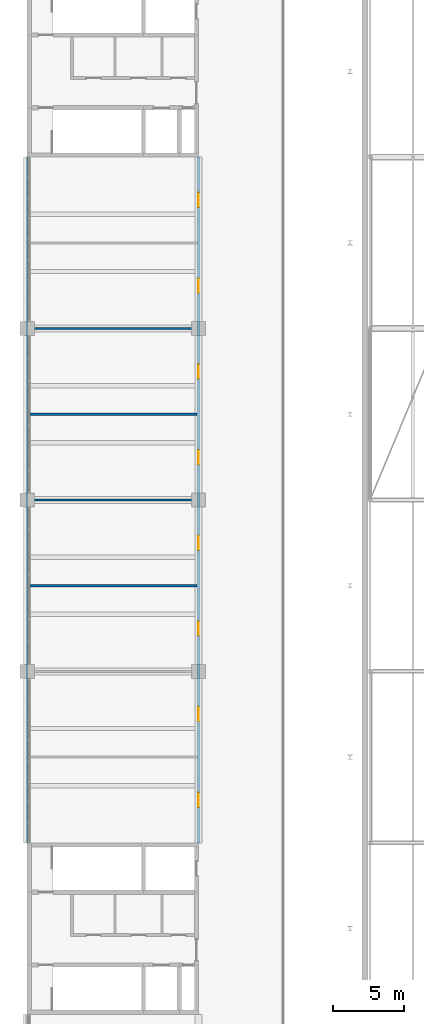
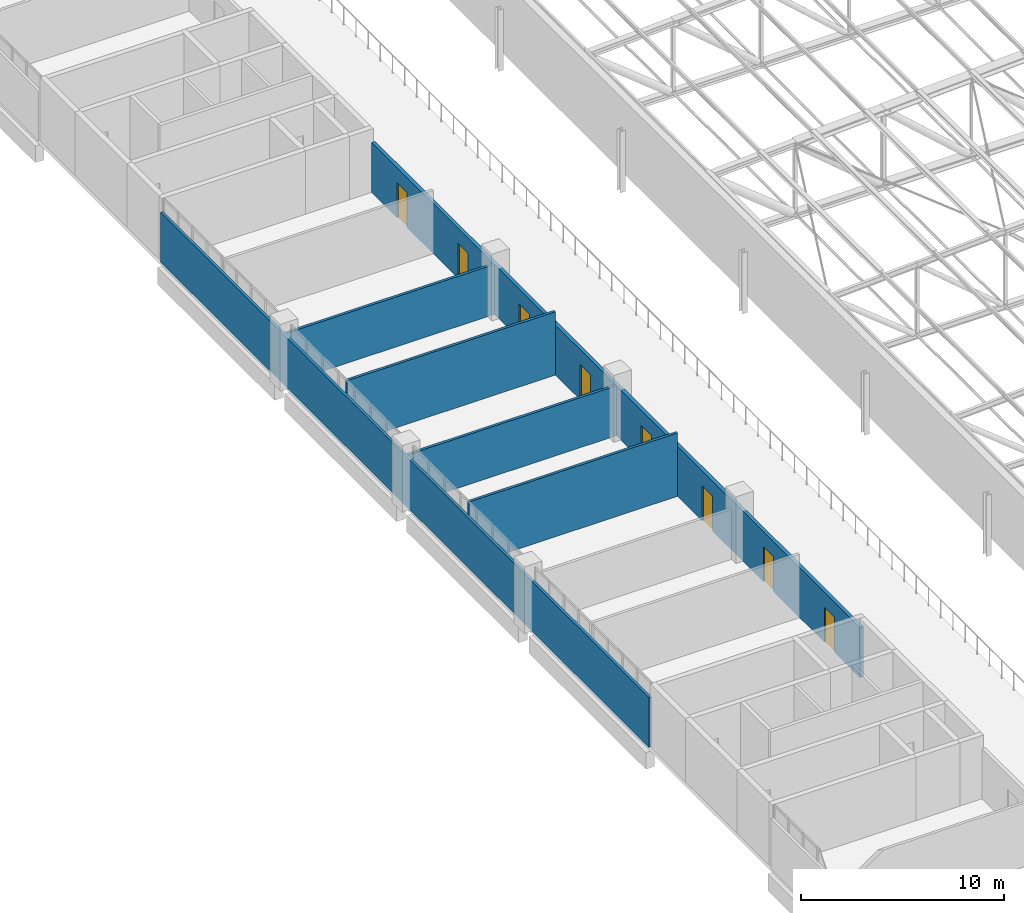
# One storey, part 144 of 156: 8 doors, 6 walls, 8 openings.
"""IFC4 building model written with IfcOpenShell, lengths in metres."""

from ifc_helpers import new_model, si_unit, direction, frame, frame_2d, origin, place, context, subcontext, project, spatial, rectangle, extrude, material, layer, layer_set, type_object, element, fill, save


model = new_model("IFC4")

# Units and contexts
model_context = context("Model", 3, precision=1e-05, world=origin(), true_north=direction((0.0, 1.0)))
body_context = subcontext(model_context, "Body", "Model", "MODEL_VIEW")
ifc_project = project(units=[si_unit("LENGTHUNIT", "METRE"), si_unit("AREAUNIT", "SQUARE_METRE"), si_unit("VOLUMEUNIT", "CUBIC_METRE"), si_unit("PLANEANGLEUNIT", "RADIAN"), si_unit("MASSUNIT", "GRAM", prefix="KILO")], contexts=[model_context])

# Site, building, storey
site_placement = place(None, origin())
site = spatial("IfcSite", under=ifc_project, at=site_placement, CompositionType="ELEMENT")
building_placement = place(site_placement, origin())
building = spatial("IfcBuilding", under=site, at=building_placement, Name="Lilac Gate Convention Centre", CompositionType="ELEMENT")
storey_placement = place(building_placement, frame((0.0, 0.0, 17.0)))
storey = spatial("IfcBuildingStorey", under=building, at=storey_placement, Name="L03", CompositionType="ELEMENT", Elevation=17.0)

# Walls
ifc_material_1 = material(Name="Fire-rated gypsum board on steel stud", Category="steel")
ifc_layer_1 = layer(ifc_material_1, 0.14990234375)
ifc_layer_set_1 = layer_set([ifc_layer_1], Name="Fire-rated gypsum board on steel stud")
wall_type_1 = type_object("IfcWallType", Name="Partition 150 fire-rated gypsum board EI 60", PredefinedType="PARTITIONING", material=ifc_layer_set_1)
wall_1_placement = place(storey_placement, frame((6.074951171875, 120.0, 0.0), z_axis=(0.0, 0.0, 1.0), x_axis=(1.0, 0.0, 0.0)))
element("IfcWall", 1, at=wall_1_placement, inside=storey, type_object=wall_type_1, Name="Partition 150 fire-rated gypsum board EI 60", PredefinedType="PARTITIONING", context=body_context, shape_type="SweptSolid", body=[
    extrude(rectangle(XDim=11.824951171875, YDim=0.14990234375, at=frame_2d((5.91259765625, 0.0))), origin(), (0.0, 0.0, 1.0), 3.800048828125),
])
wall_2_placement = place(storey_placement, frame((6.074951171875, 126.0, 0.0), z_axis=(0.0, 0.0, 1.0), x_axis=(1.0, 0.0, 0.0)))
element("IfcWall", 2, at=wall_2_placement, inside=storey, type_object=wall_type_1, Name="Partition 150 fire-rated gypsum board EI 60", PredefinedType="PARTITIONING", context=body_context, shape_type="SweptSolid", body=[
    extrude(rectangle(XDim=11.824951171875, YDim=0.14990234375, at=frame_2d((5.91259765625, 0.0))), origin(), (0.0, 0.0, 1.0), 3.0),
])
wall_3_placement = place(storey_placement, frame((6.074951171875, 132.0, 0.0), z_axis=(0.0, 0.0, 1.0), x_axis=(1.0, 0.0, 0.0)))
element("IfcWall", 3, at=wall_3_placement, inside=storey, type_object=wall_type_1, Name="Partition 150 fire-rated gypsum board EI 60", PredefinedType="PARTITIONING", context=body_context, shape_type="SweptSolid", body=[
    extrude(rectangle(XDim=11.824951171875, YDim=0.14990234375, at=frame_2d((5.91259765625, 0.0))), origin(), (0.0, 0.0, 1.0), 3.800048828125),
])
wall_4_placement = place(storey_placement, frame((6.074951171875, 138.0, 0.0), z_axis=(0.0, 0.0, 1.0), x_axis=(1.0, 0.0, 0.0)))
element("IfcWall", 4, at=wall_4_placement, inside=storey, type_object=wall_type_1, Name="Partition 150 fire-rated gypsum board EI 60", PredefinedType="PARTITIONING", context=body_context, shape_type="SweptSolid", body=[
    extrude(rectangle(XDim=11.824951171875, YDim=0.14990234375, at=frame_2d((5.91259765625, 0.0))), origin(), (0.0, 0.0, 1.0), 3.0),
])
wall_5_placement = place(storey_placement, frame((6.0, 102.0, 0.0), z_axis=(0.0, 0.0, 1.0), x_axis=(0.0, 1.0, 0.0)))
element("IfcWall", 5, at=wall_5_placement, inside=storey, type_object=wall_type_1, Name="Partition 150 fire-rated gypsum board EI 60", PredefinedType="PARTITIONING", context=body_context, shape_type="SweptSolid", body=[
    extrude(rectangle(XDim=48.0, YDim=0.14990234375, at=frame_2d((24.0, 0.0))), origin(), (0.0, 0.0, 1.0), 3.0),
])

# Wall, openings, doors
ifc_material_2 = material(Name="Clay brick masonry", Category="masonry")
ifc_layer_2 = layer(ifc_material_2, 0.199951171875)
ifc_layer_set_2 = layer_set([ifc_layer_2], Name="Clay brick masonry")
wall_type_2 = type_object("IfcWallType", Name="Partition 200 brick EI 60", PredefinedType="PARTITIONING", material=ifc_layer_set_2)
wall_6_placement = place(storey_placement, frame((18.0, 102.0, 0.0), z_axis=(0.0, 0.0, 1.0), x_axis=(0.0, 1.0, 0.0)))
wall_6 = element("IfcWall", 6, at=wall_6_placement, inside=storey, type_object=wall_type_2, Name="Partition 200 brick EI 60", PredefinedType="PARTITIONING", context=body_context, shape_type="SweptSolid", body=[
    extrude(rectangle(XDim=48.0, YDim=0.199951171875, at=frame_2d((24.0, 0.0))), origin(), (0.0, 0.0, 1.0), 3.0),
])
opening_1_placement = place(wall_6_placement, frame((2.5, 0.0, 0.0)))
opening_1 = element("IfcOpeningElement", 7, at=opening_1_placement, cuts=wall_6, Name="Opening L03-025", PredefinedType="OPENING", context=body_context, shape_type="SweptSolid", body=[
    extrude(rectangle(XDim=1.0, YDim=2.10009765625, at=frame_2d((0.5, 1.050048828125))), frame((0.0, 0.10986328125, 0.0), z_axis=(0.0, -1.0, 0.0), x_axis=(1.0, 0.0, 0.0)), (0.0, 0.0, 1.0), 0.219970703125),
])
opening_2_placement = place(wall_6_placement, frame((8.5, 0.0, 0.0)))
opening_2 = element("IfcOpeningElement", 8, at=opening_2_placement, cuts=wall_6, Name="Opening L03-026", PredefinedType="OPENING", context=body_context, shape_type="SweptSolid", body=[
    extrude(rectangle(XDim=1.0, YDim=2.10009765625, at=frame_2d((0.5, 1.050048828125))), frame((0.0, 0.10986328125, 0.0), z_axis=(0.0, -1.0, 0.0), x_axis=(1.0, 0.0, 0.0)), (0.0, 0.0, 1.0), 0.219970703125),
])
opening_3_placement = place(wall_6_placement, frame((14.5, 0.0, 0.0)))
opening_3 = element("IfcOpeningElement", 9, at=opening_3_placement, cuts=wall_6, Name="Opening L03-027", PredefinedType="OPENING", context=body_context, shape_type="SweptSolid", body=[
    extrude(rectangle(XDim=1.0, YDim=2.10009765625, at=frame_2d((0.5, 1.050048828125))), frame((0.0, 0.10986328125, 0.0), z_axis=(0.0, -1.0, 0.0), x_axis=(1.0, 0.0, 0.0)), (0.0, 0.0, 1.0), 0.219970703125),
])
opening_4_placement = place(wall_6_placement, frame((20.5, 0.0, 0.0)))
opening_4 = element("IfcOpeningElement", 10, at=opening_4_placement, cuts=wall_6, Name="Opening L03-028", PredefinedType="OPENING", context=body_context, shape_type="SweptSolid", body=[
    extrude(rectangle(XDim=1.0, YDim=2.10009765625, at=frame_2d((0.5, 1.050048828125))), frame((0.0, 0.10986328125, 0.0), z_axis=(0.0, -1.0, 0.0), x_axis=(1.0, 0.0, 0.0)), (0.0, 0.0, 1.0), 0.219970703125),
])
opening_5_placement = place(wall_6_placement, frame((26.5, 0.0, 0.0)))
opening_5 = element("IfcOpeningElement", 11, at=opening_5_placement, cuts=wall_6, Name="Opening L03-029", PredefinedType="OPENING", context=body_context, shape_type="SweptSolid", body=[
    extrude(rectangle(XDim=1.0, YDim=2.10009765625, at=frame_2d((0.5, 1.050048828125))), frame((0.0, 0.10986328125, 0.0), z_axis=(0.0, -1.0, 0.0), x_axis=(1.0, 0.0, 0.0)), (0.0, 0.0, 1.0), 0.219970703125),
])
opening_6_placement = place(wall_6_placement, frame((32.5, 0.0, 0.0)))
opening_6 = element("IfcOpeningElement", 12, at=opening_6_placement, cuts=wall_6, Name="Opening L03-030", PredefinedType="OPENING", context=body_context, shape_type="SweptSolid", body=[
    extrude(rectangle(XDim=1.0, YDim=2.10009765625, at=frame_2d((0.5, 1.050048828125))), frame((0.0, 0.10986328125, 0.0), z_axis=(0.0, -1.0, 0.0), x_axis=(1.0, 0.0, 0.0)), (0.0, 0.0, 1.0), 0.219970703125),
])
opening_7_placement = place(wall_6_placement, frame((38.5, 0.0, 0.0)))
opening_7 = element("IfcOpeningElement", 13, at=opening_7_placement, cuts=wall_6, Name="Opening L03-031", PredefinedType="OPENING", context=body_context, shape_type="SweptSolid", body=[
    extrude(rectangle(XDim=1.0, YDim=2.10009765625, at=frame_2d((0.5, 1.050048828125))), frame((0.0, 0.10986328125, 0.0), z_axis=(0.0, -1.0, 0.0), x_axis=(1.0, 0.0, 0.0)), (0.0, 0.0, 1.0), 0.219970703125),
])
opening_8_placement = place(wall_6_placement, frame((44.5, 0.0, 0.0)))
opening_8 = element("IfcOpeningElement", 14, at=opening_8_placement, cuts=wall_6, Name="Opening L03-032", PredefinedType="OPENING", context=body_context, shape_type="SweptSolid", body=[
    extrude(rectangle(XDim=1.0, YDim=2.10009765625, at=frame_2d((0.5, 1.050048828125))), frame((0.0, 0.10986328125, 0.0), z_axis=(0.0, -1.0, 0.0), x_axis=(1.0, 0.0, 0.0)), (0.0, 0.0, 1.0), 0.219970703125),
])
ifc_material_3 = material(Name="Timber fire door leaf", Category="wood")
door_type = type_object("IfcDoorType", Name="Door 1000 x 2100 single leaf FD30", OperationType="SINGLE_SWING_LEFT", PredefinedType="DOOR", material=ifc_material_3)
door_1_placement = place(opening_1_placement, origin())
door_1 = element("IfcDoor", 15, at=door_1_placement, inside=storey, type_object=door_type, Name="Meeting room door L03-025", OperationType="SINGLE_SWING_RIGHT", OverallHeight=2.10009765625, OverallWidth=1.0, PredefinedType="DOOR", context=body_context, shape_type="SweptSolid", body=[
    extrude(rectangle(XDim=1.0, YDim=2.10009765625, at=frame_2d((0.5, 1.050048828125))), frame((0.0, 0.02490234375, 0.0), z_axis=(0.0, -1.0, 0.0), x_axis=(1.0, 0.0, 0.0)), (0.0, 0.0, 1.0), 0.050048828125),
])
fill(opening_1, door_1)
door_2_placement = place(opening_2_placement, origin())
door_2 = element("IfcDoor", 16, at=door_2_placement, inside=storey, type_object=door_type, Name="Meeting room door L03-026", OperationType="SINGLE_SWING_RIGHT", OverallHeight=2.10009765625, OverallWidth=1.0, PredefinedType="DOOR", context=body_context, shape_type="SweptSolid", body=[
    extrude(rectangle(XDim=1.0, YDim=2.10009765625, at=frame_2d((0.5, 1.050048828125))), frame((0.0, 0.02490234375, 0.0), z_axis=(0.0, -1.0, 0.0), x_axis=(1.0, 0.0, 0.0)), (0.0, 0.0, 1.0), 0.050048828125),
])
fill(opening_2, door_2)
door_3_placement = place(opening_3_placement, origin())
door_3 = element("IfcDoor", 17, at=door_3_placement, inside=storey, type_object=door_type, Name="Meeting room door L03-027", OperationType="SINGLE_SWING_RIGHT", OverallHeight=2.10009765625, OverallWidth=1.0, PredefinedType="DOOR", context=body_context, shape_type="SweptSolid", body=[
    extrude(rectangle(XDim=1.0, YDim=2.10009765625, at=frame_2d((0.5, 1.050048828125))), frame((0.0, 0.02490234375, 0.0), z_axis=(0.0, -1.0, 0.0), x_axis=(1.0, 0.0, 0.0)), (0.0, 0.0, 1.0), 0.050048828125),
])
fill(opening_3, door_3)
door_4_placement = place(opening_4_placement, origin())
door_4 = element("IfcDoor", 18, at=door_4_placement, inside=storey, type_object=door_type, Name="Meeting room door L03-028", OperationType="SINGLE_SWING_RIGHT", OverallHeight=2.10009765625, OverallWidth=1.0, PredefinedType="DOOR", context=body_context, shape_type="SweptSolid", body=[
    extrude(rectangle(XDim=1.0, YDim=2.10009765625, at=frame_2d((0.5, 1.050048828125))), frame((0.0, 0.02490234375, 0.0), z_axis=(0.0, -1.0, 0.0), x_axis=(1.0, 0.0, 0.0)), (0.0, 0.0, 1.0), 0.050048828125),
])
fill(opening_4, door_4)
door_5_placement = place(opening_5_placement, origin())
door_5 = element("IfcDoor", 19, at=door_5_placement, inside=storey, type_object=door_type, Name="Meeting room door L03-029", OperationType="SINGLE_SWING_RIGHT", OverallHeight=2.10009765625, OverallWidth=1.0, PredefinedType="DOOR", context=body_context, shape_type="SweptSolid", body=[
    extrude(rectangle(XDim=1.0, YDim=2.10009765625, at=frame_2d((0.5, 1.050048828125))), frame((0.0, 0.02490234375, 0.0), z_axis=(0.0, -1.0, 0.0), x_axis=(1.0, 0.0, 0.0)), (0.0, 0.0, 1.0), 0.050048828125),
])
fill(opening_5, door_5)
door_6_placement = place(opening_6_placement, origin())
door_6 = element("IfcDoor", 20, at=door_6_placement, inside=storey, type_object=door_type, Name="Meeting room door L03-030", OperationType="SINGLE_SWING_RIGHT", OverallHeight=2.10009765625, OverallWidth=1.0, PredefinedType="DOOR", context=body_context, shape_type="SweptSolid", body=[
    extrude(rectangle(XDim=1.0, YDim=2.10009765625, at=frame_2d((0.5, 1.050048828125))), frame((0.0, 0.02490234375, 0.0), z_axis=(0.0, -1.0, 0.0), x_axis=(1.0, 0.0, 0.0)), (0.0, 0.0, 1.0), 0.050048828125),
])
fill(opening_6, door_6)
door_7_placement = place(opening_7_placement, origin())
door_7 = element("IfcDoor", 21, at=door_7_placement, inside=storey, type_object=door_type, Name="Meeting room door L03-031", OperationType="SINGLE_SWING_RIGHT", OverallHeight=2.10009765625, OverallWidth=1.0, PredefinedType="DOOR", context=body_context, shape_type="SweptSolid", body=[
    extrude(rectangle(XDim=1.0, YDim=2.10009765625, at=frame_2d((0.5, 1.050048828125))), frame((0.0, 0.02490234375, 0.0), z_axis=(0.0, -1.0, 0.0), x_axis=(1.0, 0.0, 0.0)), (0.0, 0.0, 1.0), 0.050048828125),
])
fill(opening_7, door_7)
door_8_placement = place(opening_8_placement, origin())
door_8 = element("IfcDoor", 22, at=door_8_placement, inside=storey, type_object=door_type, Name="Meeting room door L03-032", OperationType="SINGLE_SWING_RIGHT", OverallHeight=2.10009765625, OverallWidth=1.0, PredefinedType="DOOR", context=body_context, shape_type="SweptSolid", body=[
    extrude(rectangle(XDim=1.0, YDim=2.10009765625, at=frame_2d((0.5, 1.050048828125))), frame((0.0, 0.02490234375, 0.0), z_axis=(0.0, -1.0, 0.0), x_axis=(1.0, 0.0, 0.0)), (0.0, 0.0, 1.0), 0.050048828125),
])
fill(opening_8, door_8)

save(model, "model.ifc")
